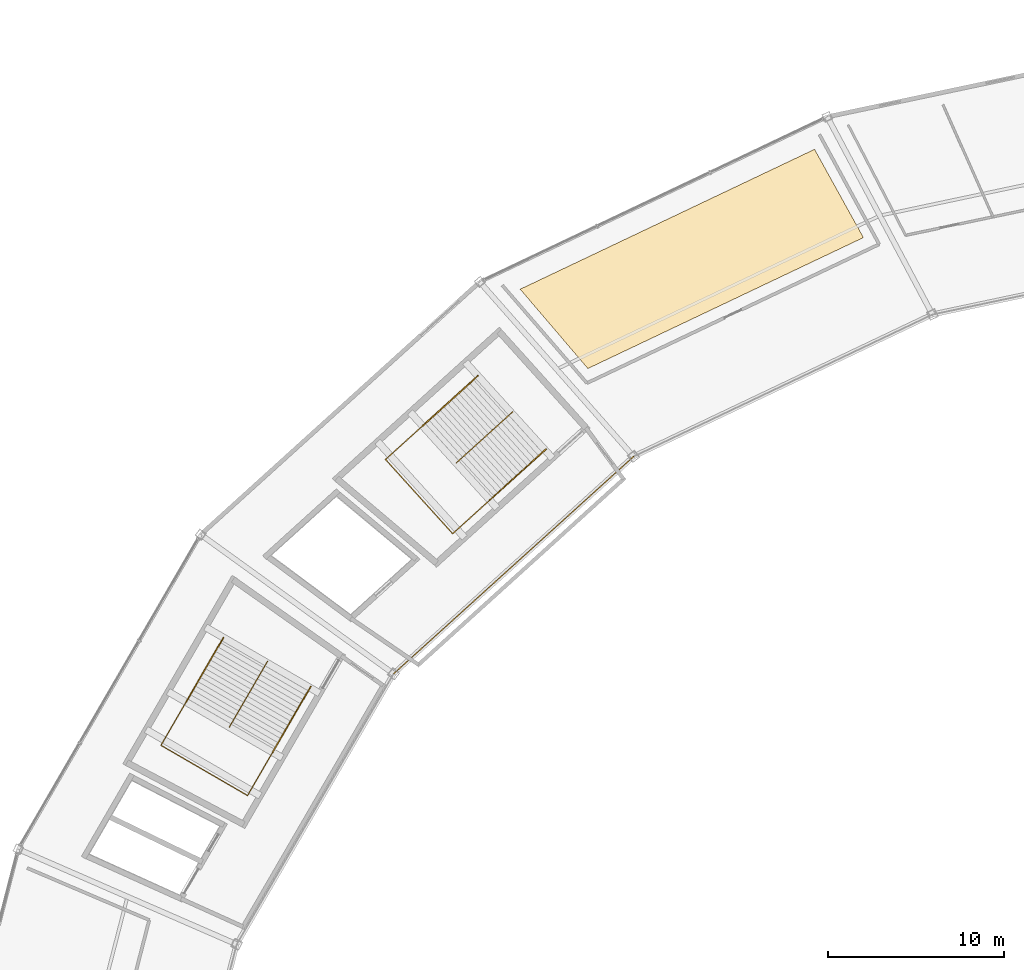
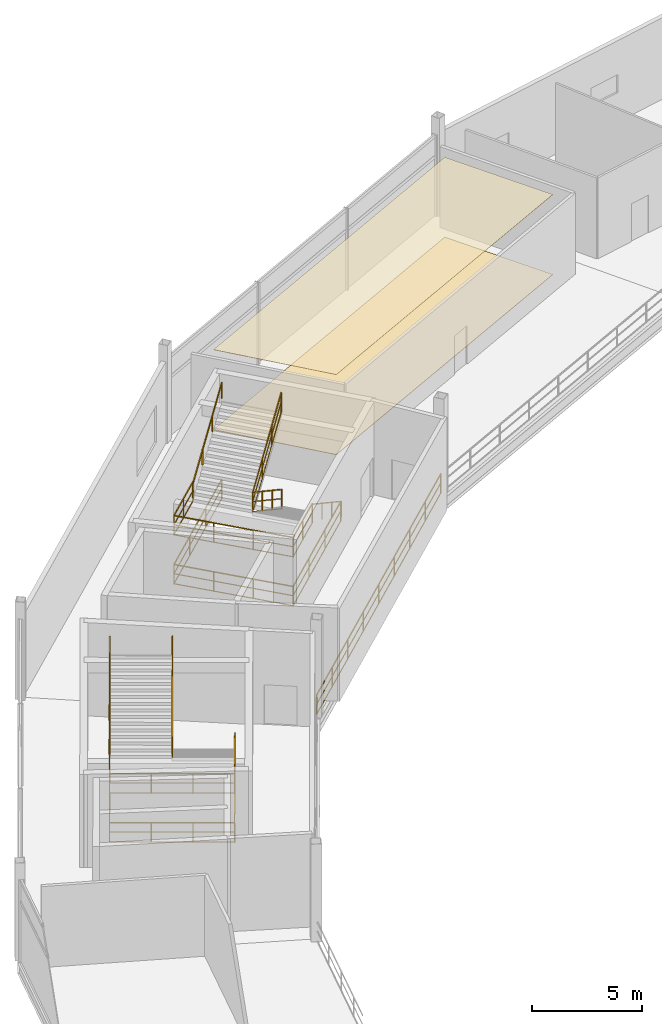
# One storey, part 101 of 103: 11 railings, 2 coverings.
"""IFC4 building model written with IfcOpenShell, lengths in metres."""

import ifcopenshell
import ifcopenshell.guid

model = None  # the IFC model being written
_history = None  # IfcOwnerHistory: only IFC2X3 demands one
_inside = {}  # id of a spatial element -> (the spatial element, [elements in it])
_under = {}  # id of a project, library or spatial element -> (it, [spatial elements below it])
_declared = {}  # id of a project -> (the project, [libraries it declares])
_typed = {}  # id of a type object -> (the type object, [elements of that type])
_made_of = {}  # id of a material, layer set ... -> (it, [elements and type objects made of it])


def new_model(schema):
    """Start an empty IFC model of exactly this schema.

    Asked for "IFC4X3", IfcOpenShell would pick the latest addendum, in which some entities
    have other attributes; the version numbers below select the first issue.
    IFC2X3 requires an IfcOwnerHistory on every rooted entity: one is made here for all.
    """
    global model, _history
    if schema == "IFC4X3":
        model = ifcopenshell.file(schema_version=(4, 3, 0, 0))
    else:
        model = ifcopenshell.file(schema=schema)
    _inside.clear()
    _under.clear()
    _declared.clear()
    _typed.clear()
    _made_of.clear()
    _history = None
    if model.schema == "IFC2X3":
        org = make("IfcOrganization", Name="unknown")
        user = make(
            "IfcPersonAndOrganization",
            ThePerson=make("IfcPerson", FamilyName="unknown"),
            TheOrganization=org,
        )
        app = make(
            "IfcApplication",
            ApplicationDeveloper=org,
            Version="unknown",
            ApplicationFullName="unknown",
            ApplicationIdentifier="unknown",
        )
        _history = make(
            "IfcOwnerHistory",
            OwningUser=user,
            OwningApplication=app,
            ChangeAction="ADDED",
            CreationDate=0,
        )
    return model


def make(cls, **values):
    """One entity of the class cls with the attributes given. An attribute that is None is left unset."""
    return model.create_entity(
        cls, **{name: value for name, value in values.items() if value is not None}
    )


def rooted(cls, **values):
    """An entity with a GlobalId (a new one), such as an element, a storey or a relation."""
    return make(cls, GlobalId=ifcopenshell.guid.new(), OwnerHistory=_history, **values)


def si_unit(unit_type, name, prefix=None):
    """IfcSIUnit, for example si_unit("LENGTHUNIT", "METRE", prefix="MILLI")."""
    return make("IfcSIUnit", UnitType=unit_type, Prefix=prefix, Name=name)


def assignment(units):
    """IfcUnitAssignment: the units of a project."""
    return None if units is None else make("IfcUnitAssignment", Units=units)


def point(xyz):
    """IfcCartesianPoint."""
    return None if xyz is None else make("IfcCartesianPoint", Coordinates=xyz)


def direction(xyz):
    """IfcDirection."""
    return None if xyz is None else make("IfcDirection", DirectionRatios=xyz)


def frame(location, z_axis=None, x_axis=None):
    """IfcAxis2Placement3D, a coordinate frame: its origin and axes. An axis left out is left unset."""
    return make(
        "IfcAxis2Placement3D",
        Location=point(location),
        Axis=direction(z_axis),
        RefDirection=direction(x_axis),
    )


def frame_2d(location, x_axis=None):
    """IfcAxis2Placement2D, a coordinate frame in the plane: its origin and x axis."""
    return make(
        "IfcAxis2Placement2D", Location=point(location), RefDirection=direction(x_axis)
    )


def origin():
    """The frame at (0, 0, 0) with its axes left unset."""
    return frame((0.0, 0.0, 0.0))


def origin_2d():
    """The frame at (0, 0) in the plane with its x axis left unset."""
    return frame_2d((0.0, 0.0))


def place(relative_to, where):
    """IfcLocalPlacement: puts the frame where relative to a parent placement (None: the world)."""
    return make(
        "IfcLocalPlacement", PlacementRelTo=relative_to, RelativePlacement=where
    )


def context(
    kind, dimensions, precision=None, world=None, true_north=None, identifier=None
):
    """IfcGeometricRepresentationContext, for example the 3D "Model" context."""
    return make(
        "IfcGeometricRepresentationContext",
        ContextIdentifier=identifier,
        ContextType=kind,
        CoordinateSpaceDimension=dimensions,
        Precision=precision,
        WorldCoordinateSystem=world,
        TrueNorth=true_north,
    )


def subcontext(parent, identifier, kind, view, scale=None):
    """IfcGeometricRepresentationSubContext, for example "Body" below "Model"."""
    return make(
        "IfcGeometricRepresentationSubContext",
        ContextIdentifier=identifier,
        ContextType=kind,
        ParentContext=parent,
        TargetScale=scale,
        TargetView=view,
    )


def project(units=None, contexts=None):
    """IfcProject with its units and contexts."""
    return rooted(
        "IfcProject",
        Name="project",
        RepresentationContexts=contexts,
        UnitsInContext=assignment(units),
    )


def spatial(cls, under=None, at=None, **own):
    """A site, building, storey or space (cls), placed at a placement, below another one or the project."""
    s = rooted(cls, ObjectPlacement=at, **own)
    if under is not None:
        _under.setdefault(under.id(), (under, []))[1].append(s)
    return s


def polyline(points):
    """IfcPolyline through the points."""
    return make("IfcPolyline", Points=[point(p) for p in points])


def profile(cls, at=None, kind="AREA", **sizes):
    """A parametric profile (cls). Its sizes go by their IFC names, for example OverallWidth=200.0."""
    return make(cls, ProfileType=kind, Position=at, **sizes)


def rectangle(**sizes):
    """IfcRectangleProfileDef."""
    return profile("IfcRectangleProfileDef", **sizes)


def outline(outer, holes=None, kind="AREA"):
    """IfcArbitraryClosedProfileDef: a profile drawn as a closed curve; with holes, ...WithVoids."""
    if holes is None:
        return make("IfcArbitraryClosedProfileDef", ProfileType=kind, OuterCurve=outer)
    return make(
        "IfcArbitraryProfileDefWithVoids",
        ProfileType=kind,
        OuterCurve=outer,
        InnerCurves=holes,
    )


def extrude(swept, where, along, depth):
    """IfcExtrudedAreaSolid: the profile swept, set in the frame where, extruded along a direction by depth."""
    return make(
        "IfcExtrudedAreaSolid",
        SweptArea=swept,
        Position=where,
        ExtrudedDirection=direction(along),
        Depth=depth,
    )


def shape(context_of_items, identifier, shape_type, items):
    """IfcShapeRepresentation: the items that make up one representation, for example the "Body"."""
    return make(
        "IfcShapeRepresentation",
        ContextOfItems=context_of_items,
        RepresentationIdentifier=identifier,
        RepresentationType=shape_type,
        Items=items,
    )


def material(Name=None, Category=None):
    """IfcMaterial."""
    return make("IfcMaterial", Name=Name, Category=Category)


def layer(
    of_material, thickness, ventilated=None, Name=None, Category=None, Priority=None
):
    """IfcMaterialLayer: one layer of a wall or slab, of a material (None: an air gap)."""
    return make(
        "IfcMaterialLayer",
        Material=of_material,
        LayerThickness=thickness,
        IsVentilated=ventilated,
        Name=Name,
        Category=Category,
        Priority=Priority,
    )


def layer_set(layers, Name=None):
    """IfcMaterialLayerSet."""
    return make("IfcMaterialLayerSet", MaterialLayers=layers, LayerSetName=Name)


def made_of(thing, what):
    """Note that an element or type object is made of a material, layer set ...; save() writes the relation."""
    if what is not None:
        _made_of.setdefault(what.id(), (what, []))[1].append(thing)
    return thing


def type_object(cls, material=None, **own):
    """A type object (cls), such as IfcWallType, which elements share."""
    return made_of(rooted(cls, **own), material)


def element(
    cls,
    number,
    at=None,
    inside=None,
    cuts=None,
    type_object=None,
    material=None,
    context=None,
    identifier="Body",
    shape_type=None,
    held_by="IfcProductDefinitionShape",
    body=None,
    shapes=None,
    **own,
):
    """One element of the class cls, such as IfcWall. Its Tag is "e" and its number.

    at: its placement. inside: the storey or other place that contains it. cuts: it is an
    opening in that element (IfcRelVoidsElement). A single representation is given by context,
    identifier, shape_type and body (its items); several are given by shapes. held_by: the class
    of the entity that holds the representations. save() writes the other relations.
    """
    e = rooted(cls, Tag="e%d" % number, ObjectPlacement=at, **own)
    if body is not None:
        shapes = [shape(context, identifier, shape_type, body)]
    if shapes is not None:
        e.Representation = make(held_by, Representations=shapes)
    if inside is not None:
        _inside.setdefault(inside.id(), (inside, []))[1].append(e)
    if cuts is not None:
        rooted(
            "IfcRelVoidsElement", RelatingBuildingElement=cuts, RelatedOpeningElement=e
        )
    if type_object is not None:
        _typed.setdefault(type_object.id(), (type_object, []))[1].append(e)
    return made_of(e, material)


def aggregate(whole, parts):
    """IfcRelAggregates: a whole, such as a stair, and the parts it consists of."""
    return rooted("IfcRelAggregates", RelatingObject=whole, RelatedObjects=parts)


def save(model, path):
    """Write the relations noted so far, then the file.

    IfcRelAggregates (storeys below a building ...), IfcRelContainedInSpatialStructure (elements
    in a storey), IfcRelDefinesByType, IfcRelAssociatesMaterial and IfcRelDeclares: one each for
    every whole, place, type object, material and project.
    """
    for whole, parts in _under.values():
        aggregate(whole, parts)
    for where, things in _inside.values():
        rooted(
            "IfcRelContainedInSpatialStructure",
            RelatedElements=things,
            RelatingStructure=where,
        )
    for kind, things in _typed.values():
        rooted("IfcRelDefinesByType", RelatedObjects=things, RelatingType=kind)
    for what, things in _made_of.values():
        rooted("IfcRelAssociatesMaterial", RelatedObjects=things, RelatingMaterial=what)
    for by, libraries in _declared.values():
        rooted("IfcRelDeclares", RelatingContext=by, RelatedDefinitions=libraries)
    model.write(path)


model = new_model("IFC4")

# Units and contexts
model_context = context("Model", 3, precision=1e-05, world=origin(), true_north=direction((0.0, 1.0)))
body_context = subcontext(model_context, "Body", "Model", "MODEL_VIEW")
ifc_project = project(units=[si_unit("LENGTHUNIT", "METRE"), si_unit("AREAUNIT", "SQUARE_METRE"), si_unit("VOLUMEUNIT", "CUBIC_METRE"), si_unit("PLANEANGLEUNIT", "RADIAN"), si_unit("MASSUNIT", "GRAM", prefix="KILO")], contexts=[model_context])

# Site, building, storey
site_placement = place(None, origin())
site = spatial("IfcSite", under=ifc_project, at=site_placement, CompositionType="ELEMENT")
building_placement = place(site_placement, origin())
building = spatial("IfcBuilding", under=site, at=building_placement, Name="Kazemori Nagisa Stadium", CompositionType="ELEMENT")
storey_placement = place(building_placement, frame((0.0, 0.0, 25.840087890625)))
storey = spatial("IfcBuildingStorey", under=building, at=storey_placement, Name="L05", CompositionType="ELEMENT", Elevation=25.840087890625)

# Coverings
ifc_material_1 = material(Name="Mineral-fibre acoustic board", Category="gypsum")
ifc_layer_1 = layer(ifc_material_1, 0.02001953125, Name="Mineral-fibre acoustic board", Category="gypsum")
ifc_layer_set_1 = layer_set([ifc_layer_1], Name="Mineral-fibre acoustic board")
covering_type_1 = type_object("IfcCoveringType", Name="Cov_CEIL", PredefinedType="CEILING", material=ifc_layer_set_1)
covering_1_placement = place(storey_placement, frame((0.0, 0.0, 4.449951171875)))
element("IfcCovering", 1, at=covering_1_placement, inside=storey, type_object=covering_type_1, Name="Acoustic ceiling L05-B10", PredefinedType="CEILING", context=body_context, shape_type="SweptSolid", body=[
    extrude(outline(polyline([(82.256591796875, 175.5810546875), (66.56201171875, 168.123291015625), (62.705810546875, 172.6416015625), (79.47265625, 180.60888671875), (82.256591796875, 175.5810546875)])), origin(), (0.0, 0.0, 1.0), 0.02001953125),
])
ifc_material_2 = material(Name="Porcelain stoneware tile", Category="masonry")
ifc_layer_2 = layer(ifc_material_2, 0.02490234375, Name="Porcelain stoneware tile", Category="masonry")
ifc_layer_set_2 = layer_set([ifc_layer_2], Name="Porcelain stoneware tile")
covering_type_2 = type_object("IfcCoveringType", Name="Cov_FLOOR", PredefinedType="FLOORING", material=ifc_layer_set_2)
covering_2_placement = place(storey_placement, origin())
element("IfcCovering", 2, at=covering_2_placement, inside=storey, type_object=covering_type_2, Name="Porcelain floor finish L05-B10", PredefinedType="FLOORING", context=body_context, shape_type="SweptSolid", body=[
    extrude(outline(polyline([(82.256591796875, 175.5810546875), (66.56201171875, 168.123291015625), (62.705810546875, 172.6416015625), (79.47265625, 180.60888671875), (82.256591796875, 175.5810546875)])), origin(), (0.0, 0.0, 1.0), 0.02490234375),
])

# Railings
ifc_material_3 = material(Name="Laminated safety glass and stainless steel SUS304", Category="steel")
railing_type_1 = type_object("IfcRailingType", Name="Rail_BAL", PredefinedType="BALUSTRADE", material=ifc_material_3)
railing_1_placement = place(storey_placement, frame((69.165771484375, 163.11083984375, 0.0)))
element("IfcRailing", 3, at=railing_1_placement, inside=storey, type_object=railing_type_1, Name="Upper concourse balustrade L05-B11", PredefinedType="BALUSTRADE", context=body_context, shape_type="SweptSolid", body=[
    extrude(rectangle(XDim=0.050048828125, YDim=0.050048828125, at=origin_2d()), frame((0.0, 0.0, 1.09521484375), z_axis=(-0.741349142139, -0.671119549298, 0.0), x_axis=(0.671119549298, -0.741349142139, 0.0)), (0.0, 0.0, 1.0), 18.44189453125),
    extrude(rectangle(XDim=0.03759765625, YDim=0.03759765625, at=origin_2d()), frame((0.0, 0.0, 0.58251953125), z_axis=(-0.741349142139, -0.671119549298, 0.0), x_axis=(0.671119549298, -0.741349142139, 0.0)), (0.0, 0.0, 1.0), 18.44189453125),
    extrude(rectangle(XDim=0.03759765625, YDim=0.03759765625, at=origin_2d()), frame((0.0, 0.0, 0.02490234375), z_axis=(-0.741349142139, -0.671119549298, 0.0), x_axis=(0.671119549298, -0.741349142139, 0.0)), (0.0, 0.0, 1.0), 18.44189453125),
    extrude(rectangle(XDim=0.044921875, YDim=0.044921875, at=origin_2d()), origin(), (0.0, 0.0, 1.0), 1.070068359375),
    extrude(rectangle(XDim=0.044921875, YDim=0.044921875, at=origin_2d()), frame((-1.708984375, -1.547119140625, 0.0)), (0.0, 0.0, 1.0), 1.070068359375),
    extrude(rectangle(XDim=0.044921875, YDim=0.044921875, at=origin_2d()), frame((-3.41796875, -3.09423828125, 0.0)), (0.0, 0.0, 1.0), 1.070068359375),
    extrude(rectangle(XDim=0.044921875, YDim=0.044921875, at=origin_2d()), frame((-5.126953125, -4.641357421875, 0.0)), (0.0, 0.0, 1.0), 1.070068359375),
    extrude(rectangle(XDim=0.044921875, YDim=0.044921875, at=origin_2d()), frame((-6.8359375, -6.1884765625, 0.0)), (0.0, 0.0, 1.0), 1.070068359375),
    extrude(rectangle(XDim=0.044921875, YDim=0.044921875, at=origin_2d()), frame((-8.544921875, -7.7353515625, 0.0)), (0.0, 0.0, 1.0), 1.070068359375),
    extrude(rectangle(XDim=0.044921875, YDim=0.044921875, at=origin_2d()), frame((-10.25390625, -9.282470703125, 0.0)), (0.0, 0.0, 1.0), 1.070068359375),
    extrude(rectangle(XDim=0.044921875, YDim=0.044921875, at=origin_2d()), frame((-11.962890625, -10.82958984375, 0.0)), (0.0, 0.0, 1.0), 1.070068359375),
    extrude(rectangle(XDim=0.044921875, YDim=0.044921875, at=origin_2d()), frame((-13.671875, -12.376708984375, 0.0)), (0.0, 0.0, 1.0), 1.070068359375),
])
ifc_material_4 = material(Name="Galvanised powder-coated steel", Category="steel")
railing_type_2 = type_object("IfcRailingType", Name="Rail_GUARD", PredefinedType="GUARDRAIL", material=ifc_material_4)
railing_2_placement = place(storey_placement, frame((64.12109375, 163.4794921875, 0.0)))
element("IfcRailing", 4, at=railing_2_placement, inside=storey, type_object=railing_type_2, Name="Stair well perimeter guard ST02-L05", PredefinedType="GUARDRAIL", context=body_context, shape_type="SweptSolid", body=[
    extrude(rectangle(XDim=0.050048828125, YDim=0.050048828125, at=origin_2d()), frame((0.0, 0.0, 1.09521484375), z_axis=(-0.741333574744, -0.671136745349, 0.0), x_axis=(0.671136745349, -0.741333574744, 0.0)), (0.0, 0.0, 1.0), 7.094970703125),
    extrude(rectangle(XDim=0.03759765625, YDim=0.03759765625, at=origin_2d()), frame((0.0, 0.0, 0.58251953125), z_axis=(-0.741333574744, -0.671136745349, 0.0), x_axis=(0.671136745349, -0.741333574744, 0.0)), (0.0, 0.0, 1.0), 7.094970703125),
    extrude(rectangle(XDim=0.03759765625, YDim=0.03759765625, at=origin_2d()), frame((0.0, 0.0, 0.02490234375), z_axis=(-0.741333574744, -0.671136745349, 0.0), x_axis=(0.671136745349, -0.741333574744, 0.0)), (0.0, 0.0, 1.0), 7.094970703125),
    extrude(rectangle(XDim=0.050048828125, YDim=0.050048828125, at=origin_2d()), frame((-5.259765625, -4.76171875, 1.09521484375), z_axis=(-0.671112926645, 0.74135513736, 0.0), x_axis=(-0.74135513736, -0.671112926645, 0.0)), (0.0, 0.0, 1.0), 5.7001953125),
    extrude(rectangle(XDim=0.03759765625, YDim=0.03759765625, at=origin_2d()), frame((-5.259765625, -4.76171875, 0.58251953125), z_axis=(-0.671112926645, 0.74135513736, 0.0), x_axis=(-0.74135513736, -0.671112926645, 0.0)), (0.0, 0.0, 1.0), 5.7001953125),
    extrude(rectangle(XDim=0.03759765625, YDim=0.03759765625, at=origin_2d()), frame((-5.259765625, -4.76171875, 0.02490234375), z_axis=(-0.671112926645, 0.74135513736, 0.0), x_axis=(-0.74135513736, -0.671112926645, 0.0)), (0.0, 0.0, 1.0), 5.7001953125),
    extrude(rectangle(XDim=0.050048828125, YDim=0.050048828125, at=origin_2d()), frame((-9.085205078125, -0.535888671875, 1.09521484375), z_axis=(0.741366193318, 0.67110071331, 0.0), x_axis=(-0.67110071331, 0.741366193318, 0.0)), (0.0, 0.0, 1.0), 7.094970703125),
    extrude(rectangle(XDim=0.03759765625, YDim=0.03759765625, at=origin_2d()), frame((-9.085205078125, -0.535888671875, 0.58251953125), z_axis=(0.741366193318, 0.67110071331, 0.0), x_axis=(-0.67110071331, 0.741366193318, 0.0)), (0.0, 0.0, 1.0), 7.094970703125),
    extrude(rectangle(XDim=0.03759765625, YDim=0.03759765625, at=origin_2d()), frame((-9.085205078125, -0.535888671875, 0.02490234375), z_axis=(0.741366193318, 0.67110071331, 0.0), x_axis=(-0.67110071331, 0.741366193318, 0.0)), (0.0, 0.0, 1.0), 7.094970703125),
    extrude(rectangle(XDim=0.044921875, YDim=0.044921875, at=origin_2d()), origin(), (0.0, 0.0, 1.0), 1.070068359375),
    extrude(rectangle(XDim=0.044921875, YDim=0.044921875, at=origin_2d()), frame((-1.753173828125, -1.587158203125, 0.0)), (0.0, 0.0, 1.0), 1.070068359375),
    extrude(rectangle(XDim=0.044921875, YDim=0.044921875, at=origin_2d()), frame((-3.506591796875, -3.174560546875, 0.0)), (0.0, 0.0, 1.0), 1.070068359375),
    extrude(rectangle(XDim=0.044921875, YDim=0.044921875, at=origin_2d()), frame((-5.259765625, -4.76171875, 0.0)), (0.0, 0.0, 1.0), 1.070068359375),
    extrude(rectangle(XDim=0.044921875, YDim=0.044921875, at=origin_2d()), frame((-6.534912109375, -3.35302734375, 0.0)), (0.0, 0.0, 1.0), 1.070068359375),
    extrude(rectangle(XDim=0.044921875, YDim=0.044921875, at=origin_2d()), frame((-7.81005859375, -1.944580078125, 0.0)), (0.0, 0.0, 1.0), 1.070068359375),
    extrude(rectangle(XDim=0.044921875, YDim=0.044921875, at=origin_2d()), frame((-9.085205078125, -0.535888671875, 0.0)), (0.0, 0.0, 1.0), 1.070068359375),
    extrude(rectangle(XDim=0.044921875, YDim=0.044921875, at=origin_2d()), frame((-7.331787109375, 1.05126953125, 0.0)), (0.0, 0.0, 1.0), 1.070068359375),
    extrude(rectangle(XDim=0.044921875, YDim=0.044921875, at=origin_2d()), frame((-5.57861328125, 2.638427734375, 0.0)), (0.0, 0.0, 1.0), 1.070068359375),
    extrude(rectangle(XDim=0.044921875, YDim=0.044921875, at=origin_2d()), frame((-3.8251953125, 4.2255859375, 0.0)), (0.0, 0.0, 1.0), 1.070068359375),
])
railing_3_placement = place(storey_placement, frame((62.267822265625, 165.64599609375, 0.0)))
element("IfcRailing", 5, at=railing_3_placement, inside=storey, type_object=railing_type_2, Name="Stair central guard ST02-L05", PredefinedType="GUARDRAIL", context=body_context, shape_type="SweptSolid", body=[
    extrude(rectangle(XDim=0.050048828125, YDim=0.050048828125, at=origin_2d()), frame((0.0, 0.0, 1.09521484375), z_axis=(-0.627557777508, -0.568113486393, 0.532370456043), x_axis=(0.67112318634, -0.741345849626, 0.0)), (0.0, 0.0, 1.0), 5.109130859375),
    extrude(rectangle(XDim=0.03759765625, YDim=0.03759765625, at=origin_2d()), frame((0.0, 0.0, 0.58251953125), z_axis=(-0.627557777508, -0.568113486393, 0.532370456043), x_axis=(0.67112318634, -0.741345849626, 0.0)), (0.0, 0.0, 1.0), 5.109130859375),
    extrude(rectangle(XDim=0.03759765625, YDim=0.03759765625, at=origin_2d()), frame((0.0, 0.0, 0.02490234375), z_axis=(-0.627557777508, -0.568113486393, 0.532370456043), x_axis=(0.67112318634, -0.741345849626, 0.0)), (0.0, 0.0, 1.0), 5.109130859375),
    extrude(rectangle(XDim=0.050048828125, YDim=0.050048828125, at=origin_2d()), frame((-3.206298828125, -2.902587890625, 3.81494140625), z_axis=(0.624200602078, 0.565073454279, 0.539504957933), x_axis=(-0.671122625547, 0.741346357298, 0.0)), (0.0, 0.0, 1.0), 5.04150390625),
    extrude(rectangle(XDim=0.03759765625, YDim=0.03759765625, at=origin_2d()), frame((-3.206298828125, -2.902587890625, 3.302490234375), z_axis=(0.624200602078, 0.565073454279, 0.539504957933), x_axis=(-0.671122625547, 0.741346357298, 0.0)), (0.0, 0.0, 1.0), 5.04150390625),
    extrude(rectangle(XDim=0.03759765625, YDim=0.03759765625, at=origin_2d()), frame((-3.206298828125, -2.902587890625, 2.7451171875), z_axis=(0.624200602078, 0.565073454279, 0.539504957933), x_axis=(-0.671122625547, 0.741346357298, 0.0)), (0.0, 0.0, 1.0), 5.04150390625),
    extrude(rectangle(XDim=0.044921875, YDim=0.044921875, at=origin_2d()), origin(), (0.0, 0.0, 1.0), 1.070068359375),
    extrude(rectangle(XDim=0.044921875, YDim=0.044921875, at=origin_2d()), frame((-1.06884765625, -0.967529296875, 0.90673828125)), (0.0, 0.0, 1.0), 1.070068359375),
    extrude(rectangle(XDim=0.044921875, YDim=0.044921875, at=origin_2d()), frame((-2.137451171875, -1.93505859375, 1.813232421875)), (0.0, 0.0, 1.0), 1.070068359375),
    extrude(rectangle(XDim=0.044921875, YDim=0.044921875, at=origin_2d()), frame((-3.206298828125, -2.902587890625, 2.719970703125)), (0.0, 0.0, 1.0), 1.070068359375),
    extrude(rectangle(XDim=0.044921875, YDim=0.044921875, at=origin_2d()), frame((-2.1572265625, -1.952880859375, 3.626708984375)), (0.0, 0.0, 1.0), 1.070068359375),
    extrude(rectangle(XDim=0.044921875, YDim=0.044921875, at=origin_2d()), frame((-1.1083984375, -1.00341796875, 4.533203125)), (0.0, 0.0, 1.0), 1.070068359375),
    extrude(rectangle(XDim=0.044921875, YDim=0.044921875, at=origin_2d()), frame((-0.059326171875, -0.0537109375, 5.43994140625)), (0.0, 0.0, 1.0), 1.070068359375),
])
railing_4_placement = place(storey_placement, frame((60.97412109375, 160.630615234375, 2.719970703125)))
element("IfcRailing", 6, at=railing_4_placement, inside=storey, type_object=railing_type_2, Name="Stair landing guard ST02-L05", PredefinedType="GUARDRAIL", context=body_context, shape_type="SweptSolid", body=[
    extrude(rectangle(XDim=0.050048828125, YDim=0.050048828125, at=origin_2d()), frame((0.0, 0.0, 1.09521484375), z_axis=(-0.741314535645, -0.671157775223, 0.0), x_axis=(0.671157775223, -0.741314535645, 0.0)), (0.0, 0.0, 1.0), 2.85009765625),
    extrude(rectangle(XDim=0.03759765625, YDim=0.03759765625, at=origin_2d()), frame((0.0, 0.0, 0.58251953125), z_axis=(-0.741314535645, -0.671157775223, 0.0), x_axis=(0.671157775223, -0.741314535645, 0.0)), (0.0, 0.0, 1.0), 2.85009765625),
    extrude(rectangle(XDim=0.03759765625, YDim=0.03759765625, at=origin_2d()), frame((0.0, 0.0, 0.02490234375), z_axis=(-0.741314535645, -0.671157775223, 0.0), x_axis=(0.671157775223, -0.741314535645, 0.0)), (0.0, 0.0, 1.0), 2.85009765625),
    extrude(rectangle(XDim=0.050048828125, YDim=0.050048828125, at=origin_2d()), frame((-2.11279296875, -1.912841796875, 1.09521484375), z_axis=(-0.671112926645, 0.74135513736, 0.0), x_axis=(-0.74135513736, -0.671112926645, 0.0)), (0.0, 0.0, 1.0), 5.7001953125),
    extrude(rectangle(XDim=0.03759765625, YDim=0.03759765625, at=origin_2d()), frame((-2.11279296875, -1.912841796875, 0.58251953125), z_axis=(-0.671112926645, 0.74135513736, 0.0), x_axis=(-0.74135513736, -0.671112926645, 0.0)), (0.0, 0.0, 1.0), 5.7001953125),
    extrude(rectangle(XDim=0.03759765625, YDim=0.03759765625, at=origin_2d()), frame((-2.11279296875, -1.912841796875, 0.02490234375), z_axis=(-0.671112926645, 0.74135513736, 0.0), x_axis=(-0.74135513736, -0.671112926645, 0.0)), (0.0, 0.0, 1.0), 5.7001953125),
    extrude(rectangle(XDim=0.050048828125, YDim=0.050048828125, at=origin_2d()), frame((-5.938232421875, 2.31298828125, 1.09521484375), z_axis=(0.741357156534, 0.671110696127, 0.0), x_axis=(-0.671110696127, 0.741357156534, 0.0)), (0.0, 0.0, 1.0), 2.849853515625),
    extrude(rectangle(XDim=0.03759765625, YDim=0.03759765625, at=origin_2d()), frame((-5.938232421875, 2.31298828125, 0.58251953125), z_axis=(0.741357156534, 0.671110696127, 0.0), x_axis=(-0.671110696127, 0.741357156534, 0.0)), (0.0, 0.0, 1.0), 2.849853515625),
    extrude(rectangle(XDim=0.03759765625, YDim=0.03759765625, at=origin_2d()), frame((-5.938232421875, 2.31298828125, 0.02490234375), z_axis=(0.741357156534, 0.671110696127, 0.0), x_axis=(-0.671110696127, 0.741357156534, 0.0)), (0.0, 0.0, 1.0), 2.849853515625),
    extrude(rectangle(XDim=0.044921875, YDim=0.044921875, at=origin_2d()), origin(), (0.0, 0.0, 1.0), 1.070068359375),
    extrude(rectangle(XDim=0.044921875, YDim=0.044921875, at=origin_2d()), frame((-1.056396484375, -0.95654296875, 0.0)), (0.0, 0.0, 1.0), 1.070068359375),
    extrude(rectangle(XDim=0.044921875, YDim=0.044921875, at=origin_2d()), frame((-2.11279296875, -1.912841796875, 0.0)), (0.0, 0.0, 1.0), 1.070068359375),
    extrude(rectangle(XDim=0.044921875, YDim=0.044921875, at=origin_2d()), frame((-3.387939453125, -0.504150390625, 0.0)), (0.0, 0.0, 1.0), 1.070068359375),
    extrude(rectangle(XDim=0.044921875, YDim=0.044921875, at=origin_2d()), frame((-4.6630859375, 0.904296875, 0.0)), (0.0, 0.0, 1.0), 1.070068359375),
    extrude(rectangle(XDim=0.044921875, YDim=0.044921875, at=origin_2d()), frame((-5.938232421875, 2.31298828125, 0.0)), (0.0, 0.0, 1.0), 1.070068359375),
    extrude(rectangle(XDim=0.044921875, YDim=0.044921875, at=origin_2d()), frame((-4.8818359375, 3.269287109375, 0.0)), (0.0, 0.0, 1.0), 1.070068359375),
    extrude(rectangle(XDim=0.044921875, YDim=0.044921875, at=origin_2d()), frame((-3.825439453125, 4.2255859375, 0.0)), (0.0, 0.0, 1.0), 1.070068359375),
])
railing_5_placement = place(storey_placement, frame((50.736083984375, 149.940673828125, 0.0)))
element("IfcRailing", 7, at=railing_5_placement, inside=storey, type_object=railing_type_2, Name="Stair well perimeter guard ST08-L05", PredefinedType="GUARDRAIL", context=body_context, shape_type="SweptSolid", body=[
    extrude(rectangle(XDim=0.050048828125, YDim=0.050048828125, at=origin_2d()), frame((0.0, 0.0, 1.09521484375), z_axis=(-0.501595007813, -0.865102565097, 0.0), x_axis=(0.865102565097, -0.501595007813, 0.0)), (0.0, 0.0, 1.0), 7.094970703125),
    extrude(rectangle(XDim=0.03759765625, YDim=0.03759765625, at=origin_2d()), frame((0.0, 0.0, 0.58251953125), z_axis=(-0.501595007813, -0.865102565097, 0.0), x_axis=(0.865102565097, -0.501595007813, 0.0)), (0.0, 0.0, 1.0), 7.094970703125),
    extrude(rectangle(XDim=0.03759765625, YDim=0.03759765625, at=origin_2d()), frame((0.0, 0.0, 0.02490234375), z_axis=(-0.501595007813, -0.865102565097, 0.0), x_axis=(0.865102565097, -0.501595007813, 0.0)), (0.0, 0.0, 1.0), 7.094970703125),
    extrude(rectangle(XDim=0.050048828125, YDim=0.050048828125, at=origin_2d()), frame((-3.558837890625, -6.137939453125, 1.09521484375), z_axis=(-0.865102561401, 0.501595014188, 0.0), x_axis=(-0.501595014188, -0.865102561401, 0.0)), (0.0, 0.0, 1.0), 5.7001953125),
    extrude(rectangle(XDim=0.03759765625, YDim=0.03759765625, at=origin_2d()), frame((-3.558837890625, -6.137939453125, 0.58251953125), z_axis=(-0.865102561401, 0.501595014188, 0.0), x_axis=(-0.501595014188, -0.865102561401, 0.0)), (0.0, 0.0, 1.0), 5.7001953125),
    extrude(rectangle(XDim=0.03759765625, YDim=0.03759765625, at=origin_2d()), frame((-3.558837890625, -6.137939453125, 0.02490234375), z_axis=(-0.865102561401, 0.501595014188, 0.0), x_axis=(-0.501595014188, -0.865102561401, 0.0)), (0.0, 0.0, 1.0), 5.7001953125),
    extrude(rectangle(XDim=0.050048828125, YDim=0.050048828125, at=origin_2d()), frame((-8.489990234375, -3.27880859375, 1.09521484375), z_axis=(0.501620759697, 0.865087633388, 0.0), x_axis=(-0.865087633388, 0.501620759697, 0.0)), (0.0, 0.0, 1.0), 7.09521484375),
    extrude(rectangle(XDim=0.03759765625, YDim=0.03759765625, at=origin_2d()), frame((-8.489990234375, -3.27880859375, 0.58251953125), z_axis=(0.501620759697, 0.865087633388, 0.0), x_axis=(-0.865087633388, 0.501620759697, 0.0)), (0.0, 0.0, 1.0), 7.09521484375),
    extrude(rectangle(XDim=0.03759765625, YDim=0.03759765625, at=origin_2d()), frame((-8.489990234375, -3.27880859375, 0.02490234375), z_axis=(0.501620759697, 0.865087633388, 0.0), x_axis=(-0.865087633388, 0.501620759697, 0.0)), (0.0, 0.0, 1.0), 7.09521484375),
    extrude(rectangle(XDim=0.044921875, YDim=0.044921875, at=origin_2d()), origin(), (0.0, 0.0, 1.0), 1.070068359375),
    extrude(rectangle(XDim=0.044921875, YDim=0.044921875, at=origin_2d()), frame((-1.186279296875, -2.0458984375, 0.0)), (0.0, 0.0, 1.0), 1.070068359375),
    extrude(rectangle(XDim=0.044921875, YDim=0.044921875, at=origin_2d()), frame((-2.37255859375, -4.092041015625, 0.0)), (0.0, 0.0, 1.0), 1.070068359375),
    extrude(rectangle(XDim=0.044921875, YDim=0.044921875, at=origin_2d()), frame((-3.558837890625, -6.137939453125, 0.0)), (0.0, 0.0, 1.0), 1.070068359375),
    extrude(rectangle(XDim=0.044921875, YDim=0.044921875, at=origin_2d()), frame((-5.20263671875, -5.184814453125, 0.0)), (0.0, 0.0, 1.0), 1.070068359375),
    extrude(rectangle(XDim=0.044921875, YDim=0.044921875, at=origin_2d()), frame((-6.84619140625, -4.23193359375, 0.0)), (0.0, 0.0, 1.0), 1.070068359375),
    extrude(rectangle(XDim=0.044921875, YDim=0.044921875, at=origin_2d()), frame((-8.489990234375, -3.27880859375, 0.0)), (0.0, 0.0, 1.0), 1.070068359375),
    extrude(rectangle(XDim=0.044921875, YDim=0.044921875, at=origin_2d()), frame((-7.3037109375, -1.23291015625, 0.0)), (0.0, 0.0, 1.0), 1.070068359375),
    extrude(rectangle(XDim=0.044921875, YDim=0.044921875, at=origin_2d()), frame((-6.1171875, 0.813232421875, 0.0)), (0.0, 0.0, 1.0), 1.070068359375),
    extrude(rectangle(XDim=0.044921875, YDim=0.044921875, at=origin_2d()), frame((-4.930908203125, 2.859130859375, 0.0)), (0.0, 0.0, 1.0), 1.070068359375),
])
railing_6_placement = place(storey_placement, frame((48.310791015625, 151.439453125, 0.0)))
element("IfcRailing", 8, at=railing_6_placement, inside=storey, type_object=railing_type_2, Name="Stair central guard ST08-L05", PredefinedType="GUARDRAIL", context=body_context, shape_type="SweptSolid", body=[
    extrude(rectangle(XDim=0.050048828125, YDim=0.050048828125, at=origin_2d()), frame((0.0, 0.0, 1.09521484375), z_axis=(-0.424604455669, -0.732330394732, 0.532356317872), x_axis=(0.865106633618, -0.501587990756, 0.0)), (0.0, 0.0, 1.0), 5.109375),
    extrude(rectangle(XDim=0.03759765625, YDim=0.03759765625, at=origin_2d()), frame((0.0, 0.0, 0.58251953125), z_axis=(-0.424604455669, -0.732330394732, 0.532356317872), x_axis=(0.865106633618, -0.501587990756, 0.0)), (0.0, 0.0, 1.0), 5.109375),
    extrude(rectangle(XDim=0.03759765625, YDim=0.03759765625, at=origin_2d()), frame((0.0, 0.0, 0.02490234375), z_axis=(-0.424604455669, -0.732330394732, 0.532356317872), x_axis=(0.865106633618, -0.501587990756, 0.0)), (0.0, 0.0, 1.0), 5.109375),
    extrude(rectangle(XDim=0.050048828125, YDim=0.050048828125, at=origin_2d()), frame((-2.16943359375, -3.74169921875, 3.81494140625), z_axis=(0.422316044077, 0.728411642588, 0.539504993357), x_axis=(-0.865115045716, 0.50157348183, 0.0)), (0.0, 0.0, 1.0), 5.04150390625),
    extrude(rectangle(XDim=0.03759765625, YDim=0.03759765625, at=origin_2d()), frame((-2.16943359375, -3.74169921875, 3.302490234375), z_axis=(0.422316044077, 0.728411642588, 0.539504993357), x_axis=(-0.865115045716, 0.50157348183, 0.0)), (0.0, 0.0, 1.0), 5.04150390625),
    extrude(rectangle(XDim=0.03759765625, YDim=0.03759765625, at=origin_2d()), frame((-2.16943359375, -3.74169921875, 2.7451171875), z_axis=(0.422316044077, 0.728411642588, 0.539504993357), x_axis=(-0.865115045716, 0.50157348183, 0.0)), (0.0, 0.0, 1.0), 5.04150390625),
    extrude(rectangle(XDim=0.044921875, YDim=0.044921875, at=origin_2d()), origin(), (0.0, 0.0, 1.0), 1.070068359375),
    extrude(rectangle(XDim=0.044921875, YDim=0.044921875, at=origin_2d()), frame((-0.72314453125, -1.247314453125, 0.90673828125)), (0.0, 0.0, 1.0), 1.070068359375),
    extrude(rectangle(XDim=0.044921875, YDim=0.044921875, at=origin_2d()), frame((-1.4462890625, -2.494384765625, 1.813232421875)), (0.0, 0.0, 1.0), 1.070068359375),
    extrude(rectangle(XDim=0.044921875, YDim=0.044921875, at=origin_2d()), frame((-2.16943359375, -3.74169921875, 2.719970703125)), (0.0, 0.0, 1.0), 1.070068359375),
    extrude(rectangle(XDim=0.044921875, YDim=0.044921875, at=origin_2d()), frame((-1.459716796875, -2.517578125, 3.626708984375)), (0.0, 0.0, 1.0), 1.070068359375),
    extrude(rectangle(XDim=0.044921875, YDim=0.044921875, at=origin_2d()), frame((-0.75, -1.29345703125, 4.533203125)), (0.0, 0.0, 1.0), 1.070068359375),
    extrude(rectangle(XDim=0.044921875, YDim=0.044921875, at=origin_2d()), frame((-0.040283203125, -0.0693359375, 5.43994140625)), (0.0, 0.0, 1.0), 1.070068359375),
])
railing_7_placement = place(storey_placement, frame((48.606689453125, 146.268310546875, 2.719970703125)))
element("IfcRailing", 9, at=railing_7_placement, inside=storey, type_object=railing_type_2, Name="Stair landing guard ST08-L05", PredefinedType="GUARDRAIL", context=body_context, shape_type="SweptSolid", body=[
    extrude(rectangle(XDim=0.050048828125, YDim=0.050048828125, at=origin_2d()), frame((0.0, 0.0, 1.09521484375), z_axis=(-0.501562958255, -0.865121146954, 0.0), x_axis=(0.865121146954, -0.501562958255, 0.0)), (0.0, 0.0, 1.0), 2.85009765625),
    extrude(rectangle(XDim=0.03759765625, YDim=0.03759765625, at=origin_2d()), frame((0.0, 0.0, 0.58251953125), z_axis=(-0.501562958255, -0.865121146954, 0.0), x_axis=(0.865121146954, -0.501562958255, 0.0)), (0.0, 0.0, 1.0), 2.85009765625),
    extrude(rectangle(XDim=0.03759765625, YDim=0.03759765625, at=origin_2d()), frame((0.0, 0.0, 0.02490234375), z_axis=(-0.501562958255, -0.865121146954, 0.0), x_axis=(0.865121146954, -0.501562958255, 0.0)), (0.0, 0.0, 1.0), 2.85009765625),
    extrude(rectangle(XDim=0.050048828125, YDim=0.050048828125, at=origin_2d()), frame((-1.429443359375, -2.465576171875, 1.09521484375), z_axis=(-0.865102561401, 0.501595014188, 0.0), x_axis=(-0.501595014188, -0.865102561401, 0.0)), (0.0, 0.0, 1.0), 5.7001953125),
    extrude(rectangle(XDim=0.03759765625, YDim=0.03759765625, at=origin_2d()), frame((-1.429443359375, -2.465576171875, 0.58251953125), z_axis=(-0.865102561401, 0.501595014188, 0.0), x_axis=(-0.501595014188, -0.865102561401, 0.0)), (0.0, 0.0, 1.0), 5.7001953125),
    extrude(rectangle(XDim=0.03759765625, YDim=0.03759765625, at=origin_2d()), frame((-1.429443359375, -2.465576171875, 0.02490234375), z_axis=(-0.865102561401, 0.501595014188, 0.0), x_axis=(-0.501595014188, -0.865102561401, 0.0)), (0.0, 0.0, 1.0), 5.7001953125),
    extrude(rectangle(XDim=0.050048828125, YDim=0.050048828125, at=origin_2d()), frame((-6.360595703125, 0.3935546875, 1.09521484375), z_axis=(0.501627068055, 0.865083975458, 0.0), x_axis=(-0.865083975458, 0.501627068055, 0.0)), (0.0, 0.0, 1.0), 2.85009765625),
    extrude(rectangle(XDim=0.03759765625, YDim=0.03759765625, at=origin_2d()), frame((-6.360595703125, 0.3935546875, 0.58251953125), z_axis=(0.501627068055, 0.865083975458, 0.0), x_axis=(-0.865083975458, 0.501627068055, 0.0)), (0.0, 0.0, 1.0), 2.85009765625),
    extrude(rectangle(XDim=0.03759765625, YDim=0.03759765625, at=origin_2d()), frame((-6.360595703125, 0.3935546875, 0.02490234375), z_axis=(0.501627068055, 0.865083975458, 0.0), x_axis=(-0.865083975458, 0.501627068055, 0.0)), (0.0, 0.0, 1.0), 2.85009765625),
    extrude(rectangle(XDim=0.044921875, YDim=0.044921875, at=origin_2d()), origin(), (0.0, 0.0, 1.0), 1.070068359375),
    extrude(rectangle(XDim=0.044921875, YDim=0.044921875, at=origin_2d()), frame((-0.71484375, -1.23291015625, 0.0)), (0.0, 0.0, 1.0), 1.070068359375),
    extrude(rectangle(XDim=0.044921875, YDim=0.044921875, at=origin_2d()), frame((-1.429443359375, -2.465576171875, 0.0)), (0.0, 0.0, 1.0), 1.070068359375),
    extrude(rectangle(XDim=0.044921875, YDim=0.044921875, at=origin_2d()), frame((-3.0732421875, -1.512451171875, 0.0)), (0.0, 0.0, 1.0), 1.070068359375),
    extrude(rectangle(XDim=0.044921875, YDim=0.044921875, at=origin_2d()), frame((-4.716796875, -0.5595703125, 0.0)), (0.0, 0.0, 1.0), 1.070068359375),
    extrude(rectangle(XDim=0.044921875, YDim=0.044921875, at=origin_2d()), frame((-6.360595703125, 0.3935546875, 0.0)), (0.0, 0.0, 1.0), 1.070068359375),
    extrude(rectangle(XDim=0.044921875, YDim=0.044921875, at=origin_2d()), frame((-5.645751953125, 1.62646484375, 0.0)), (0.0, 0.0, 1.0), 1.070068359375),
    extrude(rectangle(XDim=0.044921875, YDim=0.044921875, at=origin_2d()), frame((-4.930908203125, 2.859130859375, 0.0)), (0.0, 0.0, 1.0), 1.070068359375),
])
ifc_material_5 = material(Name="Stainless steel SUS304", Category="steel")
railing_type_3 = type_object("IfcRailingType", Name="Rail_HAND", PredefinedType="HANDRAIL", material=ifc_material_5)
railing_8_placement = place(storey_placement, frame((64.180419921875, 163.533203125, 0.169921875)))
element("IfcRailing", 10, at=railing_8_placement, inside=storey, type_object=railing_type_3, Name="Stair handrail ST02-L05-F1", PredefinedType="HANDRAIL", context=body_context, shape_type="SweptSolid", body=[
    extrude(rectangle(XDim=0.050048828125, YDim=0.050048828125, at=origin_2d()), frame((0.0, 0.0, 0.875), z_axis=(-0.627557777508, -0.568113486393, 0.532370456043), x_axis=(0.67112318634, -0.741345849626, 0.0)), (0.0, 0.0, 1.0), 5.109130859375),
    extrude(rectangle(XDim=0.044921875, YDim=0.044921875, at=origin_2d()), origin(), (0.0, 0.0, 1.0), 0.849853515625),
    extrude(rectangle(XDim=0.044921875, YDim=0.044921875, at=origin_2d()), frame((-1.06884765625, -0.967529296875, 0.90673828125)), (0.0, 0.0, 1.0), 0.849853515625),
    extrude(rectangle(XDim=0.044921875, YDim=0.044921875, at=origin_2d()), frame((-2.137451171875, -1.93505859375, 1.813232421875)), (0.0, 0.0, 1.0), 0.849853515625),
    extrude(rectangle(XDim=0.044921875, YDim=0.044921875, at=origin_2d()), frame((-3.206298828125, -2.902587890625, 2.719970703125)), (0.0, 0.0, 1.0), 0.849853515625),
])
railing_9_placement = place(storey_placement, frame((57.148681640625, 164.856201171875, 2.889892578125)))
element("IfcRailing", 11, at=railing_9_placement, inside=storey, type_object=railing_type_3, Name="Stair handrail ST02-L05-F2", PredefinedType="HANDRAIL", context=body_context, shape_type="SweptSolid", body=[
    extrude(rectangle(XDim=0.050048828125, YDim=0.050048828125, at=origin_2d()), frame((0.0, 0.0, 0.875), z_axis=(0.624230158192, 0.5650563739, 0.539488650408), x_axis=(-0.67109401143, 0.741372259949, 0.0)), (0.0, 0.0, 1.0), 5.041748046875),
    extrude(rectangle(XDim=0.044921875, YDim=0.044921875, at=origin_2d()), origin(), (0.0, 0.0, 1.0), 0.849853515625),
    extrude(rectangle(XDim=0.044921875, YDim=0.044921875, at=origin_2d()), frame((1.049072265625, 0.94970703125, 0.90673828125)), (0.0, 0.0, 1.0), 0.849853515625),
    extrude(rectangle(XDim=0.044921875, YDim=0.044921875, at=origin_2d()), frame((2.09814453125, 1.899169921875, 1.813232421875)), (0.0, 0.0, 1.0), 0.849853515625),
    extrude(rectangle(XDim=0.044921875, YDim=0.044921875, at=origin_2d()), frame((3.147216796875, 2.848876953125, 2.719970703125)), (0.0, 0.0, 1.0), 0.849853515625),
])
railing_10_placement = place(storey_placement, frame((50.776123046875, 150.009765625, 0.169921875)))
element("IfcRailing", 12, at=railing_10_placement, inside=storey, type_object=railing_type_3, Name="Stair handrail ST08-L05-F1", PredefinedType="HANDRAIL", context=body_context, shape_type="SweptSolid", body=[
    extrude(rectangle(XDim=0.050048828125, YDim=0.050048828125, at=origin_2d()), frame((0.0, 0.0, 0.875), z_axis=(-0.424619314289, -0.732308236718, 0.532374947163), x_axis=(0.865092431049, -0.501612485632, 0.0)), (0.0, 0.0, 1.0), 5.109130859375),
    extrude(rectangle(XDim=0.044921875, YDim=0.044921875, at=origin_2d()), origin(), (0.0, 0.0, 1.0), 0.849853515625),
    extrude(rectangle(XDim=0.044921875, YDim=0.044921875, at=origin_2d()), frame((-0.72314453125, -1.2470703125, 0.90673828125)), (0.0, 0.0, 1.0), 0.849853515625),
    extrude(rectangle(XDim=0.044921875, YDim=0.044921875, at=origin_2d()), frame((-1.4462890625, -2.494384765625, 1.813232421875)), (0.0, 0.0, 1.0), 0.849853515625),
    extrude(rectangle(XDim=0.044921875, YDim=0.044921875, at=origin_2d()), frame((-2.16943359375, -3.741455078125, 2.719970703125)), (0.0, 0.0, 1.0), 0.849853515625),
])
railing_11_placement = place(storey_placement, frame((43.67578125, 149.12744140625, 2.889892578125)))
element("IfcRailing", 13, at=railing_11_placement, inside=storey, type_object=railing_type_3, Name="Stair handrail ST08-L05-F2", PredefinedType="HANDRAIL", context=body_context, shape_type="SweptSolid", body=[
    extrude(rectangle(XDim=0.050048828125, YDim=0.050048828125, at=origin_2d()), frame((0.0, 0.0, 0.875), z_axis=(0.42235583137, 0.728396745639, 0.53949395979), x_axis=(-0.865090089266, 0.501616524304, 0.0)), (0.0, 0.0, 1.0), 5.041748046875),
    extrude(rectangle(XDim=0.044921875, YDim=0.044921875, at=origin_2d()), origin(), (0.0, 0.0, 1.0), 0.849853515625),
    extrude(rectangle(XDim=0.044921875, YDim=0.044921875, at=origin_2d()), frame((0.709716796875, 1.22412109375, 0.90673828125)), (0.0, 0.0, 1.0), 0.849853515625),
    extrude(rectangle(XDim=0.044921875, YDim=0.044921875, at=origin_2d()), frame((1.419677734375, 2.4482421875, 1.813232421875)), (0.0, 0.0, 1.0), 0.849853515625),
    extrude(rectangle(XDim=0.044921875, YDim=0.044921875, at=origin_2d()), frame((2.12939453125, 3.67236328125, 2.719970703125)), (0.0, 0.0, 1.0), 0.849853515625),
])

save(model, "model.ifc")
